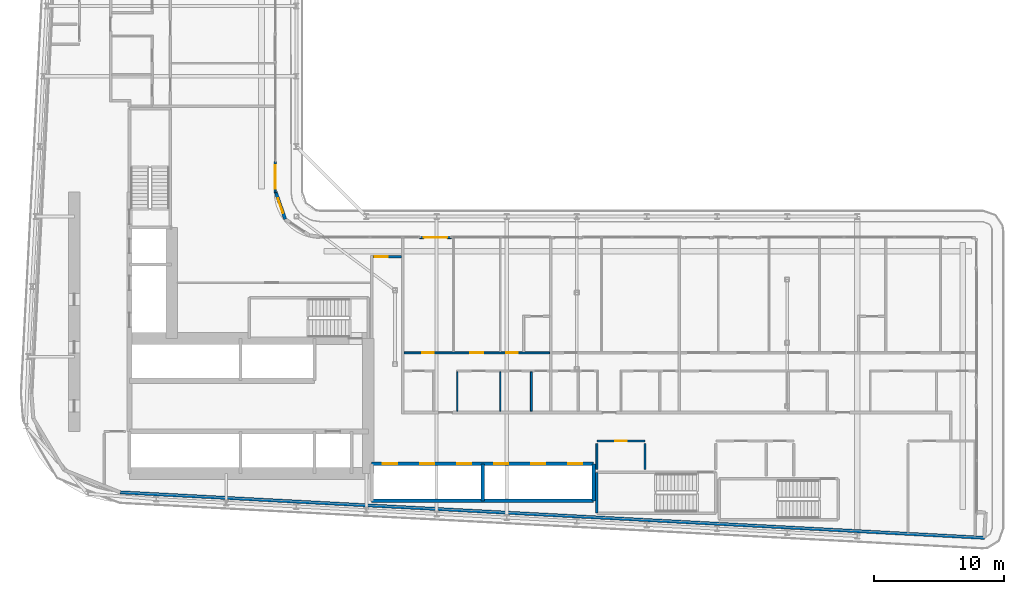
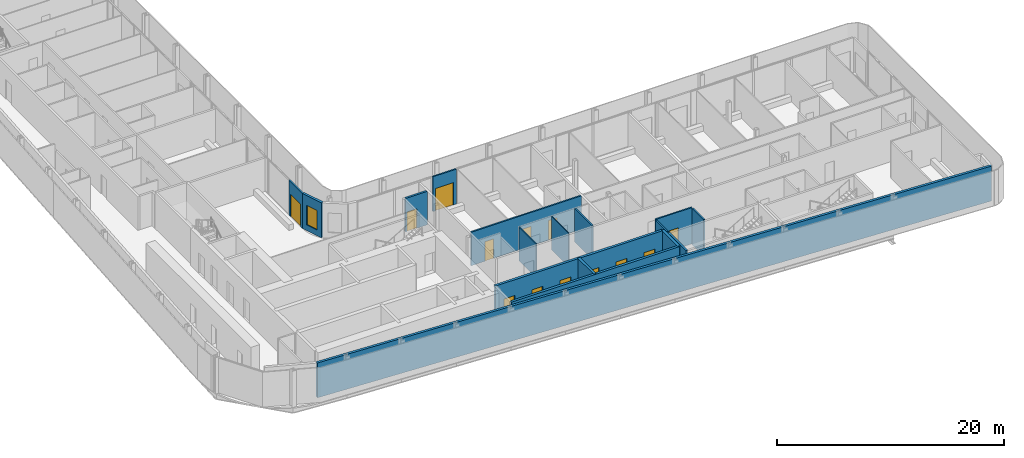
# One storey, part 14 of 27: 17 walls, 13 doors, 1 window, 14 openings.
"""IFC4 building model written with IfcOpenShell, lengths in metres."""

from ifc_helpers import new_model, si_unit, direction, frame, frame_2d, origin, place, context, subcontext, project, spatial, rectangle, extrude, source, transform, mapped, material, layer, layer_set, type_object, element, fill, save


model = new_model("IFC4")

# Units and contexts
model_context = context("Model", 3, precision=1e-05, world=origin(), true_north=direction((0.0, 1.0)))
body_context = subcontext(model_context, "Body", "Model", "MODEL_VIEW")
ifc_project = project(units=[si_unit("LENGTHUNIT", "METRE"), si_unit("AREAUNIT", "SQUARE_METRE"), si_unit("VOLUMEUNIT", "CUBIC_METRE"), si_unit("PLANEANGLEUNIT", "RADIAN"), si_unit("MASSUNIT", "GRAM", prefix="KILO")], contexts=[model_context])

# Site, building, storey
site_placement = place(None, origin())
site = spatial("IfcSite", under=ifc_project, at=site_placement, CompositionType="ELEMENT")
building_placement = place(site_placement, origin())
building = spatial("IfcBuilding", under=site, at=building_placement, Name="Kheshtan School and Residences Tower", CompositionType="ELEMENT")
storey_placement = place(building_placement, frame((0.0, 0.0, 98.0)))
storey = spatial("IfcBuildingStorey", under=building, at=storey_placement, Name="L22", CompositionType="ELEMENT", Elevation=98.0)

# Wall, opening, door
ifc_material_1 = material(Name="Gypsum board on steel studs with fire boards", Category="steel")
ifc_layer_1 = layer(ifc_material_1, 0.199951171875)
ifc_layer_set_1 = layer_set([ifc_layer_1], Name="Corridor wall 200")
wall_type_1 = type_object("IfcWallType", Name="Corridor wall 200", PredefinedType="PARTITIONING", material=ifc_layer_set_1)
wall_1_placement = place(storey_placement, frame((53.5, 42.5, 0.0), z_axis=(0.0, 0.0, 1.0), x_axis=(1.0, 0.0, 0.0)))
wall_1 = element("IfcWall", 1, at=wall_1_placement, inside=storey, type_object=wall_type_1, Name="Partition L22-031", PredefinedType="PARTITIONING", context=body_context, shape_type="SweptSolid", body=[
    extrude(rectangle(XDim=2.199951171875, YDim=0.199951171875, at=frame_2d((1.10009765625, 0.0))), origin(), (0.0, 0.0, 1.0), 3.60009765625),
])
opening_1_placement = place(wall_1_placement, frame((0.14990234375, 0.0, 0.0)))
opening_1 = element("IfcOpeningElement", 2, at=opening_1_placement, cuts=wall_1, Name="Opening D21-050", PredefinedType="OPENING", context=body_context, shape_type="SweptSolid", body=[
    extrude(rectangle(XDim=1.0, YDim=2.10009765625, at=frame_2d((0.5, 1.050048828125))), frame((0.0, 0.10986328125, 0.0), z_axis=(0.0, -1.0, 0.0), x_axis=(1.0, 0.0, 0.0)), (0.0, 0.0, 1.0), 0.219970703125),
])
ifc_material_2 = material(Name="Steel-framed fire-resisting door leaf", Category="steel")
door_type_1 = type_object("IfcDoorType", Name="Fire door FD60 1000 x 2100", OperationType="SINGLE_SWING_LEFT", PredefinedType="DOOR", material=ifc_material_2)
shared_shape_1 = source(origin(), body_context, "Body", "SweptSolid", [
    extrude(rectangle(XDim=1.0, YDim=2.10009765625, at=frame_2d((0.5, 1.050048828125))), frame((0.0, 0.02490234375, 0.0), z_axis=(0.0, -1.0, 0.0), x_axis=(1.0, 0.0, 0.0)), (0.0, 0.0, 1.0), 0.050048828125),
])
door_1_placement = place(opening_1_placement, origin())
door_1 = element("IfcDoor", 3, at=door_1_placement, inside=storey, type_object=door_type_1, Name="Door D21-050", OperationType="SINGLE_SWING_RIGHT", OverallHeight=2.10009765625, OverallWidth=1.0, PredefinedType="DOOR", context=body_context, shape_type="MappedRepresentation", body=[
    mapped(shared_shape_1, transform((0.0, 0.0, 0.0), x_axis=(1.0, 0.0, 0.0), y_axis=(0.0, 1.0, 0.0), z_axis=(0.0, 0.0, 1.0), scale=1.0)),
])
fill(opening_1, door_1)

# Wall, opening, window
ifc_material_3 = material(Name="Concrete C40/50 with ceramic cladding and mineral wool insulation", Category="concrete")
ifc_layer_2 = layer(ifc_material_3, 0.25)
ifc_layer_set_2 = layer_set([ifc_layer_2], Name="External wall 250 ceramic clad")
wall_type_2 = type_object("IfcWallType", Name="External wall 250 ceramic clad", PredefinedType="SOLIDWALL", material=ifc_layer_set_2)
wall_2_placement = place(storey_placement, frame((46.01806640625, 47.470947265625, 0.0), z_axis=(0.0, 0.0, 1.0), x_axis=(0.328791208903, -0.944402637093, 0.0)))
wall_2 = element("IfcWall", 4, at=wall_2_placement, inside=storey, type_object=wall_type_2, Name="External wall L22 5", PredefinedType="SOLIDWALL", context=body_context, shape_type="SweptSolid", body=[
    extrude(rectangle(XDim=2.20458984375, YDim=0.25, at=frame_2d((1.102294921875, 0.0))), origin(), (0.0, 0.0, 1.0), 3.75),
])
opening_2_placement = place(wall_2_placement, frame((0.5029296875, 0.0, 0.60009765625)))
opening_2 = element("IfcOpeningElement", 5, at=opening_2_placement, cuts=wall_2, Name="Opening WN-E", PredefinedType="OPENING", context=body_context, shape_type="SweptSolid", body=[
    extrude(rectangle(XDim=1.199951171875, YDim=2.10009765625, at=frame_2d((0.60009765625, 1.050048828125))), frame((0.0, 0.135009765625, 0.0), z_axis=(0.0, -1.0, 0.0), x_axis=(1.0, 0.0, 0.0)), (0.0, 0.0, 1.0), 0.27001953125),
])
ifc_material_4 = material(Name="Clear low-e glass in thermally broken aluminium frame", Category="aluminium")
window_type = type_object("IfcWindowType", Name="Window WN-E", PartitioningType="SINGLE_PANEL", PredefinedType="WINDOW", material=ifc_material_4)
shared_shape_2 = source(origin(), body_context, "Body", "SweptSolid", [
    extrude(rectangle(XDim=1.199951171875, YDim=2.10009765625, at=frame_2d((0.60009765625, 1.050048828125))), frame((0.0, 0.030029296875, 0.0), z_axis=(0.0, -1.0, 0.0), x_axis=(1.0, 0.0, 0.0)), (0.0, 0.0, 1.0), 0.06005859375),
])
window_placement = place(opening_2_placement, origin())
window = element("IfcWindow", 6, at=window_placement, inside=storey, type_object=window_type, Name="Window L22 5", OverallHeight=2.10009765625, OverallWidth=1.199951171875, PartitioningType="SINGLE_PANEL", PredefinedType="WINDOW", context=body_context, shape_type="MappedRepresentation", body=[
    mapped(shared_shape_2, transform((0.0, 0.0, 0.0), x_axis=(1.0, 0.0, 0.0), y_axis=(0.0, 1.0, 0.0), z_axis=(0.0, 0.0, 1.0), scale=1.0)),
])
fill(opening_2, window)

# Wall
wall_3_placement = place(storey_placement, frame((100.5859375, 20.85009765625, 0.0), z_axis=(0.0, 0.0, 1.0), x_axis=(-0.99861746497, 0.052565755559, 0.0)))
element("IfcWall", 7, at=wall_3_placement, inside=storey, type_object=wall_type_2, Name="External wall L22 12", PredefinedType="SOLIDWALL", context=body_context, shape_type="SweptSolid", body=[
    extrude(rectangle(XDim=66.638916015625, YDim=0.25, at=frame_2d((33.3193359375, 0.0))), origin(), (0.0, 0.0, 1.0), 3.75),
])

# Wall, opening, door
ifc_material_5 = material(Name="Aluminium frame wall with insulated infill", Category="aluminium")
ifc_layer_3 = layer(ifc_material_5, 0.14990234375)
ifc_layer_set_3 = layer_set([ifc_layer_3], Name="Glazing frame wall 150")
wall_type_3 = type_object("IfcWallType", Name="Glazing frame wall 150", PredefinedType="SOLIDWALL", material=ifc_layer_set_3)
wall_4_placement = place(storey_placement, frame((45.97509765625, 49.830078125, 0.0), z_axis=(0.0, 0.0, 1.0), x_axis=(0.0, -1.0, 0.0)))
wall_4 = element("IfcWall", 8, at=wall_4_placement, inside=storey, type_object=wall_type_3, Name="Balcony door wall L22 4.4", PredefinedType="SOLIDWALL", context=body_context, shape_type="SweptSolid", body=[
    extrude(rectangle(XDim=2.400146484375, YDim=0.14990234375, at=frame_2d((1.2001953125, 0.0))), origin(), (0.0, 0.0, 1.0), 3.75),
])
opening_3_placement = place(wall_4_placement, frame((0.300048828125, 0.0, 0.0)))
opening_3 = element("IfcOpeningElement", 9, at=opening_3_placement, cuts=wall_4, Name="Opening BD", PredefinedType="OPENING", context=body_context, shape_type="SweptSolid", body=[
    extrude(rectangle(XDim=1.800048828125, YDim=2.39990234375, at=frame_2d((0.89990234375, 1.199951171875))), frame((0.0, 0.0849609375, 0.0), z_axis=(0.0, -1.0, 0.0), x_axis=(1.0, 0.0, 0.0)), (0.0, 0.0, 1.0), 0.169921875),
])
door_type_2 = type_object("IfcDoorType", Name="Balcony sliding door", OperationType="SLIDING_TO_LEFT", PredefinedType="DOOR", material=ifc_material_4)
shared_shape_3 = source(origin(), body_context, "Body", "SweptSolid", [
    extrude(rectangle(XDim=1.800048828125, YDim=2.39990234375, at=frame_2d((0.89990234375, 1.199951171875))), frame((0.0, 0.02490234375, 0.0), z_axis=(0.0, -1.0, 0.0), x_axis=(1.0, 0.0, 0.0)), (0.0, 0.0, 1.0), 0.050048828125),
])
door_2_placement = place(opening_3_placement, origin())
door_2 = element("IfcDoor", 10, at=door_2_placement, inside=storey, type_object=door_type_2, Name="Balcony door L22 4.4", OperationType="SLIDING_TO_LEFT", OverallHeight=2.39990234375, OverallWidth=1.800048828125, PredefinedType="DOOR", context=body_context, shape_type="MappedRepresentation", body=[
    mapped(shared_shape_3, transform((0.0, 0.0, 0.0), x_axis=(1.0, 0.0, 0.0), y_axis=(0.0, 1.0, 0.0), z_axis=(0.0, 0.0, 1.0), scale=1.0)),
])
fill(opening_3, door_2)

wall_5_placement = place(storey_placement, frame((57.1240234375, 43.97509765625, 0.0), z_axis=(0.0, 0.0, 1.0), x_axis=(1.0, 0.0, 0.0)))
wall_5 = element("IfcWall", 11, at=wall_5_placement, inside=storey, type_object=wall_type_3, Name="Balcony door wall L22 8.1", PredefinedType="SOLIDWALL", context=body_context, shape_type="SweptSolid", body=[
    extrude(rectangle(XDim=2.39990234375, YDim=0.14990234375, at=frame_2d((1.199951171875, 0.0))), origin(), (0.0, 0.0, 1.0), 3.75),
])
opening_4_placement = place(wall_5_placement, frame((0.300048828125, 0.0, 0.0)))
opening_4 = element("IfcOpeningElement", 12, at=opening_4_placement, cuts=wall_5, Name="Opening BD", PredefinedType="OPENING", context=body_context, shape_type="SweptSolid", body=[
    extrude(rectangle(XDim=1.800048828125, YDim=2.39990234375, at=frame_2d((0.89990234375, 1.199951171875))), frame((0.0, 0.0849609375, 0.0), z_axis=(0.0, -1.0, 0.0), x_axis=(1.0, 0.0, 0.0)), (0.0, 0.0, 1.0), 0.169921875),
])
door_3_placement = place(opening_4_placement, origin())
door_3 = element("IfcDoor", 13, at=door_3_placement, inside=storey, type_object=door_type_2, Name="Balcony door L22 8.1", OperationType="SLIDING_TO_LEFT", OverallHeight=2.39990234375, OverallWidth=1.800048828125, PredefinedType="DOOR", context=body_context, shape_type="MappedRepresentation", body=[
    mapped(shared_shape_3, transform((0.0, 0.0, 0.0), x_axis=(1.0, 0.0, 0.0), y_axis=(0.0, 1.0, 0.0), z_axis=(0.0, 0.0, 1.0), scale=1.0)),
])
fill(opening_4, door_3)

# Walls
ifc_material_6 = material(Name="Gypsum board on steel studs", Category="steel")
ifc_layer_4 = layer(ifc_material_6, 0.10009765625)
ifc_layer_set_4 = layer_set([ifc_layer_4], Name="Gypsum partition 100")
wall_type_4 = type_object("IfcWallType", Name="Gypsum partition 100", PredefinedType="PARTITIONING", material=ifc_layer_set_4)
for number, where, z_axis, x_axis, name in (
    (14, (60.0, 30.60009765625, 0.0), (0.0, 0.0, 1.0), (0.0, 1.0, 0.0), "Partition L22-039"),
    (15, (63.300048828125, 30.60009765625, 0.0), (0.0, 0.0, 1.0), (0.0, 1.0, 0.0), "Partition L22-040"),
):
    element("IfcWall", number, at=place(storey_placement, frame(where, z_axis=z_axis, x_axis=x_axis)), inside=storey, type_object=wall_type_4, Name=name, PredefinedType="PARTITIONING", context=body_context, shape_type="SweptSolid", body=[
        extrude(rectangle(XDim=3.02490234375, YDim=0.10009765625, at=frame_2d((1.512451171875, 0.0))), origin(), (0.0, 0.0, 1.0), 3.60009765625),
    ])

# Wall, opening, door
ifc_material_7 = material(Name="Fire-board shaft wall system")
ifc_layer_5 = layer(ifc_material_7, 0.14990234375)
ifc_layer_set_5 = layer_set([ifc_layer_5], Name="Service room wall 150")
wall_type_5 = type_object("IfcWallType", Name="Service room wall 150", PredefinedType="PARTITIONING", material=ifc_layer_set_5)
wall_6_placement = place(storey_placement, frame((70.75, 28.300048828125, 0.0), z_axis=(0.0, 0.0, 1.0), x_axis=(1.0, 0.0, 0.0)))
wall_6 = element("IfcWall", 16, at=wall_6_placement, inside=storey, type_object=wall_type_5, Name="Service room wall", PredefinedType="PARTITIONING", context=body_context, shape_type="SweptSolid", body=[
    extrude(rectangle(XDim=3.7041015625, YDim=0.14990234375, at=frame_2d((1.85205078125, 0.0))), origin(), (0.0, 0.0, 1.0), 3.89990234375),
])
opening_5_placement = place(wall_6_placement, frame((1.402099609375, 0.0, 0.0)))
opening_5 = element("IfcOpeningElement", 17, at=opening_5_placement, cuts=wall_6, Name="Opening SR90", PredefinedType="OPENING", context=body_context, shape_type="SweptSolid", body=[
    extrude(rectangle(XDim=0.89990234375, YDim=2.199951171875, at=frame_2d((0.449951171875, 1.10009765625))), frame((0.0, 0.0849609375, 0.0), z_axis=(0.0, -1.0, 0.0), x_axis=(1.0, 0.0, 0.0)), (0.0, 0.0, 1.0), 0.169921875),
])
ifc_material_8 = material(Name="Steel door leaf, galvanised", Category="steel")
door_type_3 = type_object("IfcDoorType", Name="Service room door 900 steel 90 min", OperationType="SINGLE_SWING_LEFT", PredefinedType="DOOR", material=ifc_material_8)
shared_shape_4 = source(origin(), body_context, "Body", "SweptSolid", [
    extrude(rectangle(XDim=0.89990234375, YDim=2.199951171875, at=frame_2d((0.449951171875, 1.10009765625))), frame((0.0, 0.02490234375, 0.0), z_axis=(0.0, -1.0, 0.0), x_axis=(1.0, 0.0, 0.0)), (0.0, 0.0, 1.0), 0.050048828125),
])
door_4_placement = place(opening_5_placement, origin())
door_4 = element("IfcDoor", 18, at=door_4_placement, inside=storey, type_object=door_type_3, Name="Service room door", OperationType="SINGLE_SWING_LEFT", OverallHeight=2.199951171875, OverallWidth=0.89990234375, PredefinedType="DOOR", context=body_context, shape_type="MappedRepresentation", body=[
    mapped(shared_shape_4, transform((0.0, 0.0, 0.0), x_axis=(1.0, 0.0, 0.0), y_axis=(0.0, 1.0, 0.0), z_axis=(0.0, 0.0, 1.0), scale=1.0)),
])
fill(opening_5, door_4)

# Walls
for number, where, z_axis, x_axis, name in (
    (19, (70.75, 26.1201171875, 0.0), (0.0, 0.0, 1.0), (0.0, 1.0, 0.0), "Service room wall"),
    (20, (74.4541015625, 26.1201171875, 0.0), (0.0, 0.0, 1.0), (0.0, 1.0, 0.0), "Service room wall"),
):
    element("IfcWall", number, at=place(storey_placement, frame(where, z_axis=z_axis, x_axis=x_axis)), inside=storey, type_object=wall_type_5, Name=name, PredefinedType="PARTITIONING", context=body_context, shape_type="SweptSolid", body=[
        extrude(rectangle(XDim=1.98486328125, YDim=0.14990234375, at=frame_2d((0.992431640625, 0.0))), origin(), (0.0, 0.0, 1.0), 3.89990234375),
    ])
ifc_layer_6 = layer(ifc_material_7, 0.25)
ifc_layer_set_6 = layer_set([ifc_layer_6], Name="Shaft lining wall 250")
wall_type_6 = type_object("IfcWallType", Name="Shaft lining wall 250", PredefinedType="PARTITIONING", material=ifc_layer_set_6)
for number, where, z_axis, x_axis, name in (
    (21, (61.949951171875, 23.699951171875, 0.0), (0.0, 0.0, 1.0), (0.0, 1.0, 0.0), "Shaft lining wall"),
    (22, (70.5, 23.699951171875, 0.0), (0.0, 0.0, 1.0), (0.0, 1.0, 0.0), "Shaft lining wall"),
):
    element("IfcWall", number, at=place(storey_placement, frame(where, z_axis=z_axis, x_axis=x_axis)), inside=storey, type_object=wall_type_6, Name=name, PredefinedType="PARTITIONING", context=body_context, shape_type="SweptSolid", body=[
        extrude(rectangle(XDim=2.85009765625, YDim=0.25, at=frame_2d((1.425048828125, 0.0))), origin(), (0.0, 0.0, 1.0), 3.89990234375),
    ])
wall_7_placement = place(storey_placement, frame((53.39990234375, 23.699951171875, 0.0), z_axis=(0.0, 0.0, 1.0), x_axis=(1.0, 0.0, 0.0)))
element("IfcWall", 23, at=wall_7_placement, inside=storey, type_object=wall_type_6, Name="Shaft lining wall", PredefinedType="PARTITIONING", context=body_context, shape_type="SweptSolid", body=[
    extrude(rectangle(XDim=17.10009765625, YDim=0.25, at=frame_2d((8.550048828125, 0.0))), origin(), (0.0, 0.0, 1.0), 3.89990234375),
])

# Wall, openings, doors
wall_8_placement = place(storey_placement, frame((53.39990234375, 26.550048828125, 0.0), z_axis=(0.0, 0.0, 1.0), x_axis=(1.0, 0.0, 0.0)))
wall_8 = element("IfcWall", 24, at=wall_8_placement, inside=storey, type_object=wall_type_6, Name="Shaft lining wall", PredefinedType="PARTITIONING", context=body_context, shape_type="SweptSolid", body=[
    extrude(rectangle(XDim=17.10009765625, YDim=0.25, at=frame_2d((8.550048828125, 0.0))), origin(), (0.0, 0.0, 1.0), 3.89990234375),
])
opening_6_placement = place(wall_8_placement, frame((0.875, 0.0, 0.0)))
opening_6 = element("IfcOpeningElement", 25, at=opening_6_placement, cuts=wall_8, Name="Opening LD", PredefinedType="OPENING", context=body_context, shape_type="SweptSolid", body=[
    extrude(rectangle(XDim=1.10009765625, YDim=2.199951171875, at=frame_2d((0.550048828125, 1.10009765625))), frame((0.0, 0.135009765625, 0.0), z_axis=(0.0, -1.0, 0.0), x_axis=(1.0, 0.0, 0.0)), (0.0, 0.0, 1.0), 0.27001953125),
])
opening_7_placement = place(wall_8_placement, frame((3.72509765625, 0.0, 0.0)))
opening_7 = element("IfcOpeningElement", 26, at=opening_7_placement, cuts=wall_8, Name="Opening LD", PredefinedType="OPENING", context=body_context, shape_type="SweptSolid", body=[
    extrude(rectangle(XDim=1.10009765625, YDim=2.199951171875, at=frame_2d((0.550048828125, 1.10009765625))), frame((0.0, 0.135009765625, 0.0), z_axis=(0.0, -1.0, 0.0), x_axis=(1.0, 0.0, 0.0)), (0.0, 0.0, 1.0), 0.27001953125),
])
opening_8_placement = place(wall_8_placement, frame((6.574951171875, 0.0, 0.0)))
opening_8 = element("IfcOpeningElement", 27, at=opening_8_placement, cuts=wall_8, Name="Opening LD", PredefinedType="OPENING", context=body_context, shape_type="SweptSolid", body=[
    extrude(rectangle(XDim=1.10009765625, YDim=2.199951171875, at=frame_2d((0.550048828125, 1.10009765625))), frame((0.0, 0.135009765625, 0.0), z_axis=(0.0, -1.0, 0.0), x_axis=(1.0, 0.0, 0.0)), (0.0, 0.0, 1.0), 0.27001953125),
])
opening_9_placement = place(wall_8_placement, frame((9.425048828125, 0.0, 0.0)))
opening_9 = element("IfcOpeningElement", 28, at=opening_9_placement, cuts=wall_8, Name="Opening LD", PredefinedType="OPENING", context=body_context, shape_type="SweptSolid", body=[
    extrude(rectangle(XDim=1.10009765625, YDim=2.199951171875, at=frame_2d((0.550048828125, 1.10009765625))), frame((0.0, 0.135009765625, 0.0), z_axis=(0.0, -1.0, 0.0), x_axis=(1.0, 0.0, 0.0)), (0.0, 0.0, 1.0), 0.27001953125),
])
opening_10_placement = place(wall_8_placement, frame((12.27490234375, 0.0, 0.0)))
opening_10 = element("IfcOpeningElement", 29, at=opening_10_placement, cuts=wall_8, Name="Opening LD", PredefinedType="OPENING", context=body_context, shape_type="SweptSolid", body=[
    extrude(rectangle(XDim=1.10009765625, YDim=2.199951171875, at=frame_2d((0.550048828125, 1.10009765625))), frame((0.0, 0.135009765625, 0.0), z_axis=(0.0, -1.0, 0.0), x_axis=(1.0, 0.0, 0.0)), (0.0, 0.0, 1.0), 0.27001953125),
])
opening_11_placement = place(wall_8_placement, frame((15.125, 0.0, 0.0)))
opening_11 = element("IfcOpeningElement", 30, at=opening_11_placement, cuts=wall_8, Name="Opening LD", PredefinedType="OPENING", context=body_context, shape_type="SweptSolid", body=[
    extrude(rectangle(XDim=1.10009765625, YDim=2.199951171875, at=frame_2d((0.550048828125, 1.10009765625))), frame((0.0, 0.135009765625, 0.0), z_axis=(0.0, -1.0, 0.0), x_axis=(1.0, 0.0, 0.0)), (0.0, 0.0, 1.0), 0.27001953125),
])
ifc_material_9 = material(Name="Stainless steel door leaves", Category="steel")
door_type_4 = type_object("IfcDoorType", Name="Lift landing door 1100", OperationType="SLIDING_TO_LEFT", PredefinedType="DOOR", material=ifc_material_9)
shared_shape_5 = source(origin(), body_context, "Body", "SweptSolid", [
    extrude(rectangle(XDim=1.10009765625, YDim=2.199951171875, at=frame_2d((0.550048828125, 1.10009765625))), frame((0.0, 0.02490234375, 0.0), z_axis=(0.0, -1.0, 0.0), x_axis=(1.0, 0.0, 0.0)), (0.0, 0.0, 1.0), 0.050048828125),
])
door_5_placement = place(opening_6_placement, origin())
door_5 = element("IfcDoor", 31, at=door_5_placement, inside=storey, type_object=door_type_4, Name="Lift P1 landing door", OperationType="SLIDING_TO_LEFT", OverallHeight=2.199951171875, OverallWidth=1.10009765625, PredefinedType="DOOR", context=body_context, shape_type="MappedRepresentation", body=[
    mapped(shared_shape_5, transform((0.0, 0.0, 0.0), x_axis=(1.0, 0.0, 0.0), y_axis=(0.0, 1.0, 0.0), z_axis=(0.0, 0.0, 1.0), scale=1.0)),
])
fill(opening_6, door_5)
door_6_placement = place(opening_7_placement, origin())
door_6 = element("IfcDoor", 32, at=door_6_placement, inside=storey, type_object=door_type_4, Name="Lift P2 landing door", OperationType="SLIDING_TO_LEFT", OverallHeight=2.199951171875, OverallWidth=1.10009765625, PredefinedType="DOOR", context=body_context, shape_type="MappedRepresentation", body=[
    mapped(shared_shape_5, transform((0.0, 0.0, 0.0), x_axis=(1.0, 0.0, 0.0), y_axis=(0.0, 1.0, 0.0), z_axis=(0.0, 0.0, 1.0), scale=1.0)),
])
fill(opening_7, door_6)
door_7_placement = place(opening_8_placement, origin())
door_7 = element("IfcDoor", 33, at=door_7_placement, inside=storey, type_object=door_type_4, Name="Lift P3 landing door", OperationType="SLIDING_TO_LEFT", OverallHeight=2.199951171875, OverallWidth=1.10009765625, PredefinedType="DOOR", context=body_context, shape_type="MappedRepresentation", body=[
    mapped(shared_shape_5, transform((0.0, 0.0, 0.0), x_axis=(1.0, 0.0, 0.0), y_axis=(0.0, 1.0, 0.0), z_axis=(0.0, 0.0, 1.0), scale=1.0)),
])
fill(opening_8, door_7)
door_8_placement = place(opening_9_placement, origin())
door_8 = element("IfcDoor", 34, at=door_8_placement, inside=storey, type_object=door_type_4, Name="Lift P4 landing door", OperationType="SLIDING_TO_LEFT", OverallHeight=2.199951171875, OverallWidth=1.10009765625, PredefinedType="DOOR", context=body_context, shape_type="MappedRepresentation", body=[
    mapped(shared_shape_5, transform((0.0, 0.0, 0.0), x_axis=(1.0, 0.0, 0.0), y_axis=(0.0, 1.0, 0.0), z_axis=(0.0, 0.0, 1.0), scale=1.0)),
])
fill(opening_9, door_8)
door_9_placement = place(opening_10_placement, origin())
door_9 = element("IfcDoor", 35, at=door_9_placement, inside=storey, type_object=door_type_4, Name="Lift P5 landing door", OperationType="SLIDING_TO_LEFT", OverallHeight=2.199951171875, OverallWidth=1.10009765625, PredefinedType="DOOR", context=body_context, shape_type="MappedRepresentation", body=[
    mapped(shared_shape_5, transform((0.0, 0.0, 0.0), x_axis=(1.0, 0.0, 0.0), y_axis=(0.0, 1.0, 0.0), z_axis=(0.0, 0.0, 1.0), scale=1.0)),
])
fill(opening_10, door_9)
door_10_placement = place(opening_11_placement, origin())
door_10 = element("IfcDoor", 36, at=door_10_placement, inside=storey, type_object=door_type_4, Name="Lift P6 landing door", OperationType="SLIDING_TO_LEFT", OverallHeight=2.199951171875, OverallWidth=1.10009765625, PredefinedType="DOOR", context=body_context, shape_type="MappedRepresentation", body=[
    mapped(shared_shape_5, transform((0.0, 0.0, 0.0), x_axis=(1.0, 0.0, 0.0), y_axis=(0.0, 1.0, 0.0), z_axis=(0.0, 0.0, 1.0), scale=1.0)),
])
fill(opening_11, door_10)

# Wall
ifc_material_10 = material(Name="Concrete C40/50", Category="concrete")
ifc_layer_7 = layer(ifc_material_10, 0.199951171875)
ifc_layer_set_7 = layer_set([ifc_layer_7], Name="Stair enclosure wall 200 Concrete C40/50")
wall_type_7 = type_object("IfcWallType", Name="Stair enclosure wall 200 Concrete C40/50", PredefinedType="SHEAR", material=ifc_layer_set_7)
wall_9_placement = place(storey_placement, frame((70.75, 22.75, 0.0), z_axis=(0.0, 0.0, 1.0), x_axis=(0.0, 1.0, 0.0)))
element("IfcWall", 37, at=wall_9_placement, inside=storey, type_object=wall_type_7, Name="Stair enclosure wall ST5", PredefinedType="SHEAR", context=body_context, shape_type="SweptSolid", body=[
    extrude(rectangle(XDim=3.14990234375, YDim=0.199951171875, at=frame_2d((1.574951171875, 0.0))), origin(), (0.0, 0.0, 1.0), 3.89990234375),
])

# Wall, openings, doors
ifc_material_11 = material(Name="Moisture-resistant gypsum board on steel studs", Category="steel")
ifc_layer_8 = layer(ifc_material_11, 0.14990234375)
ifc_layer_set_8 = layer_set([ifc_layer_8], Name="Wet-room partition 150")
wall_type_8 = type_object("IfcWallType", Name="Wet-room partition 150", PredefinedType="PARTITIONING", material=ifc_layer_set_8)
wall_10_placement = place(storey_placement, frame((55.89990234375, 35.10009765625, 0.0), z_axis=(0.0, 0.0, 1.0), x_axis=(1.0, 0.0, 0.0)))
wall_10 = element("IfcWall", 38, at=wall_10_placement, inside=storey, type_object=wall_type_8, Name="Partition L22-035", PredefinedType="PARTITIONING", context=body_context, shape_type="SweptSolid", body=[
    extrude(rectangle(XDim=11.2001953125, YDim=0.14990234375, at=frame_2d((5.60009765625, 0.0))), origin(), (0.0, 0.0, 1.0), 3.60009765625),
])
opening_12_placement = place(wall_10_placement, frame((1.39990234375, 0.0, 0.0)))
opening_12 = element("IfcOpeningElement", 39, at=opening_12_placement, cuts=wall_10, Name="Opening D21-002", PredefinedType="OPENING", context=body_context, shape_type="SweptSolid", body=[
    extrude(rectangle(XDim=0.89990234375, YDim=2.10009765625, at=frame_2d((0.449951171875, 1.050048828125))), frame((0.0, 0.0849609375, 0.0), z_axis=(0.0, -1.0, 0.0), x_axis=(1.0, 0.0, 0.0)), (0.0, 0.0, 1.0), 0.169921875),
])
opening_13_placement = place(wall_10_placement, frame((5.10009765625, 0.0, 0.0)))
opening_13 = element("IfcOpeningElement", 40, at=opening_13_placement, cuts=wall_10, Name="Opening D21-007", PredefinedType="OPENING", context=body_context, shape_type="SweptSolid", body=[
    extrude(rectangle(XDim=1.0, YDim=2.10009765625, at=frame_2d((0.5, 1.050048828125))), frame((0.0, 0.0849609375, 0.0), z_axis=(0.0, -1.0, 0.0), x_axis=(1.0, 0.0, 0.0)), (0.0, 0.0, 1.0), 0.169921875),
])
opening_14_placement = place(wall_10_placement, frame((7.85009765625, 0.0, 0.0)))
opening_14 = element("IfcOpeningElement", 41, at=opening_14_placement, cuts=wall_10, Name="Opening D21-008", PredefinedType="OPENING", context=body_context, shape_type="SweptSolid", body=[
    extrude(rectangle(XDim=0.89990234375, YDim=2.10009765625, at=frame_2d((0.449951171875, 1.050048828125))), frame((0.0, 0.0849609375, 0.0), z_axis=(0.0, -1.0, 0.0), x_axis=(1.0, 0.0, 0.0)), (0.0, 0.0, 1.0), 0.169921875),
])
ifc_material_12 = material(Name="Veneered timber door leaf", Category="wood")
door_type_5 = type_object("IfcDoorType", Name="Door 1000 x 2100", OperationType="SINGLE_SWING_LEFT", PredefinedType="DOOR", material=ifc_material_12)
shared_shape_6 = source(origin(), body_context, "Body", "SweptSolid", [
    extrude(rectangle(XDim=1.0, YDim=2.10009765625, at=frame_2d((0.5, 1.050048828125))), frame((0.0, 0.02490234375, 0.0), z_axis=(0.0, -1.0, 0.0), x_axis=(1.0, 0.0, 0.0)), (0.0, 0.0, 1.0), 0.050048828125),
])
door_11_placement = place(opening_13_placement, origin())
door_11 = element("IfcDoor", 42, at=door_11_placement, inside=storey, type_object=door_type_5, Name="Door D21-007", OperationType="SINGLE_SWING_RIGHT", OverallHeight=2.10009765625, OverallWidth=1.0, PredefinedType="DOOR", context=body_context, shape_type="MappedRepresentation", body=[
    mapped(shared_shape_6, transform((0.0, 0.0, 0.0), x_axis=(1.0, 0.0, 0.0), y_axis=(0.0, 1.0, 0.0), z_axis=(0.0, 0.0, 1.0), scale=1.0)),
])
fill(opening_13, door_11)
door_type_6 = type_object("IfcDoorType", Name="Door 900 x 2100", OperationType="SINGLE_SWING_LEFT", PredefinedType="DOOR", material=ifc_material_12)
shared_shape_7 = source(origin(), body_context, "Body", "SweptSolid", [
    extrude(rectangle(XDim=0.89990234375, YDim=2.10009765625, at=frame_2d((0.449951171875, 1.050048828125))), frame((0.0, 0.02490234375, 0.0), z_axis=(0.0, -1.0, 0.0), x_axis=(1.0, 0.0, 0.0)), (0.0, 0.0, 1.0), 0.050048828125),
])
door_12_placement = place(opening_12_placement, origin())
door_12 = element("IfcDoor", 43, at=door_12_placement, inside=storey, type_object=door_type_6, Name="Door D21-002", OperationType="SINGLE_SWING_RIGHT", OverallHeight=2.10009765625, OverallWidth=0.89990234375, PredefinedType="DOOR", context=body_context, shape_type="MappedRepresentation", body=[
    mapped(shared_shape_7, transform((0.0, 0.0, 0.0), x_axis=(1.0, 0.0, 0.0), y_axis=(0.0, 1.0, 0.0), z_axis=(0.0, 0.0, 1.0), scale=1.0)),
])
fill(opening_12, door_12)
door_13_placement = place(opening_14_placement, origin())
door_13 = element("IfcDoor", 44, at=door_13_placement, inside=storey, type_object=door_type_6, Name="Door D21-008", OperationType="SINGLE_SWING_LEFT", OverallHeight=2.10009765625, OverallWidth=0.89990234375, PredefinedType="DOOR", context=body_context, shape_type="MappedRepresentation", body=[
    mapped(shared_shape_7, transform((0.0, 0.0, 0.0), x_axis=(1.0, 0.0, 0.0), y_axis=(0.0, 1.0, 0.0), z_axis=(0.0, 0.0, 1.0), scale=1.0)),
])
fill(opening_14, door_13)

# Wall
wall_11_placement = place(storey_placement, frame((65.699951171875, 30.60009765625, 0.0), z_axis=(0.0, 0.0, 1.0), x_axis=(0.0, 1.0, 0.0)))
element("IfcWall", 45, at=wall_11_placement, inside=storey, type_object=wall_type_8, Name="Partition L22-044", PredefinedType="PARTITIONING", context=body_context, shape_type="SweptSolid", body=[
    extrude(rectangle(XDim=3.02490234375, YDim=0.14990234375, at=frame_2d((1.512451171875, 0.0))), origin(), (0.0, 0.0, 1.0), 3.60009765625),
])

save(model, "model.ifc")
